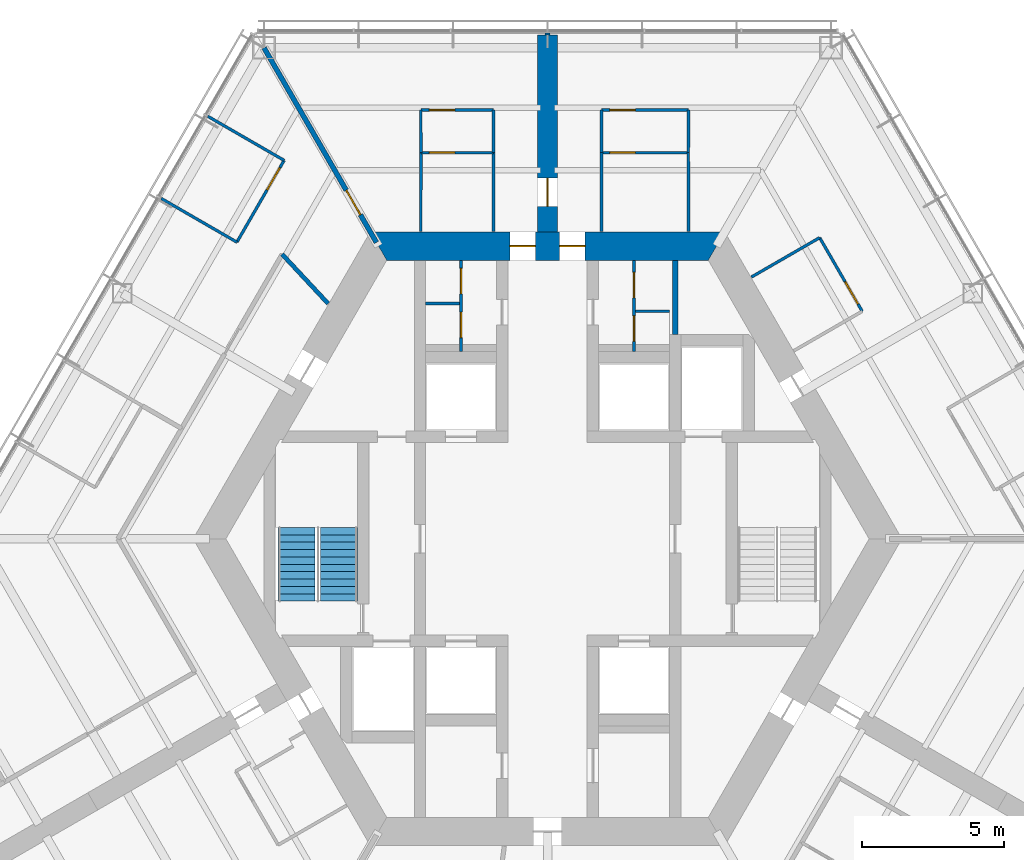
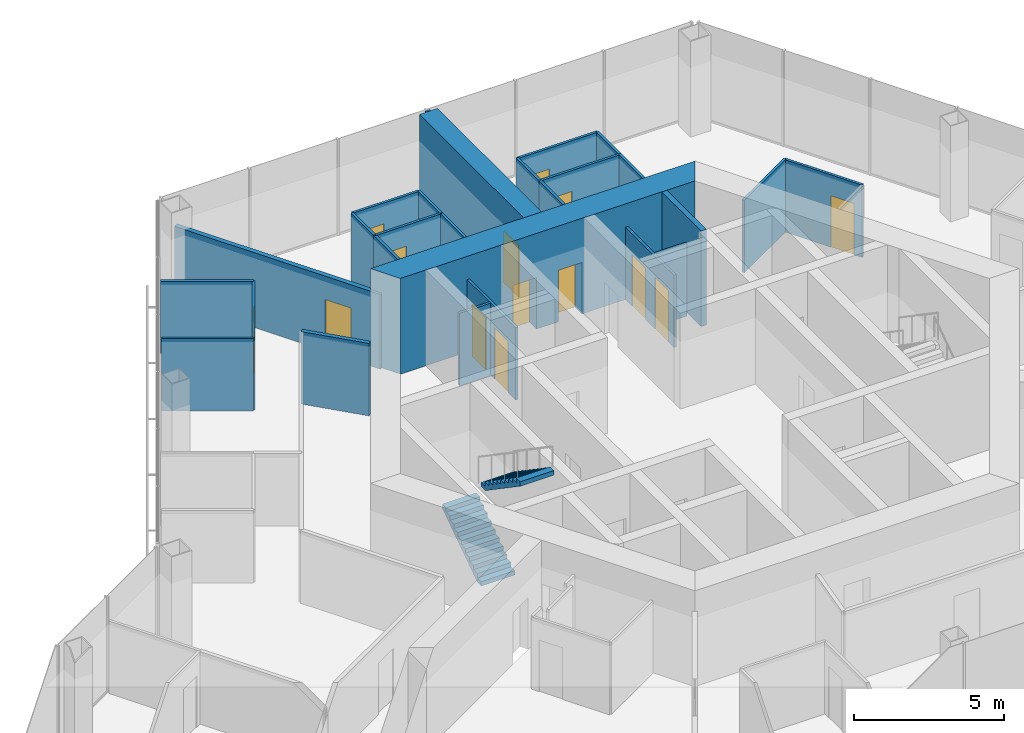
# One storey, part 15 of 18: 27 walls, 14 doors, 2 stair flights, 14 openings, 1 element without a shape of its own.
"""IFC4 building model written with IfcOpenShell, lengths in metres."""

from ifc_helpers import new_model, si_unit, direction, frame, frame_2d, origin, place, context, subcontext, project, spatial, polyline, rectangle, outline, extrude, material, layer, layer_set, type_object, element, fill, aggregate, save


model = new_model("IFC4")

# Units and contexts
model_context = context("Model", 3, precision=1e-05, world=origin(), true_north=direction((0.0, 1.0)))
body_context = subcontext(model_context, "Body", "Model", "MODEL_VIEW")
ifc_project = project(units=[si_unit("LENGTHUNIT", "METRE"), si_unit("AREAUNIT", "SQUARE_METRE"), si_unit("VOLUMEUNIT", "CUBIC_METRE"), si_unit("PLANEANGLEUNIT", "RADIAN"), si_unit("MASSUNIT", "GRAM", prefix="KILO")], contexts=[model_context])

# Site, building, storey
site_placement = place(None, origin())
site = spatial("IfcSite", under=ifc_project, at=site_placement, CompositionType="ELEMENT")
building_placement = place(site_placement, origin())
building = spatial("IfcBuilding", under=site, at=building_placement, Name="Kasaneha Research Tower", CompositionType="ELEMENT")
storey_placement = place(building_placement, frame((0.0, 0.0, 140.89990234375)))
storey = spatial("IfcBuildingStorey", under=building, at=storey_placement, Name="L35", CompositionType="ELEMENT", Elevation=140.89990234375)

# Wall, openings, doors
ifc_material_1 = material(Name="Concrete Fc70", Category="concrete")
ifc_layer_1 = layer(ifc_material_1, 1.0)
ifc_layer_set_1 = layer_set([ifc_layer_1], Name="Core wall 1000 Fc70")
wall_type_1 = type_object("IfcWallType", Name="Core wall 1000 Fc70", PredefinedType="SHEAR", material=ifc_layer_set_1)
wall_1_placement = place(storey_placement, frame((5.961181640625, 10.324951171875, 0.0), z_axis=(0.0, 0.0, 1.0), x_axis=(-1.0, 0.0, 0.0)))
wall_1 = element("IfcWall", 1, at=wall_1_placement, inside=storey, type_object=wall_type_1, Name="Core wall 090 L35", PredefinedType="SHEAR", context=body_context, shape_type="SweptSolid", body=[
    extrude(outline(polyline([(-0.28857421875, -0.5), (4.63623046875, -0.5), (5.5361328125, -0.5), (6.38623046875, -0.5), (7.2861328125, -0.5), (12.2109375, -0.5), (11.6337890625, 0.5), (7.2861328125, 0.5), (6.38623046875, 0.5), (5.5361328125, 0.5), (4.63623046875, 0.5), (0.28857421875, 0.5), (-0.28857421875, -0.5)])), origin(), (0.0, 0.0, 1.0), 3.900146484375),
])
opening_1_placement = place(wall_1_placement, frame((6.38623046875, 0.0, 0.0)))
opening_1 = element("IfcOpeningElement", 2, at=opening_1_placement, cuts=wall_1, Name="Opening L35-D01", PredefinedType="OPENING", context=body_context, shape_type="SweptSolid", body=[
    extrude(rectangle(XDim=0.89990234375, YDim=2.10009765625, at=frame_2d((0.449951171875, 1.050048828125))), frame((0.0, 0.510009765625, 0.0), z_axis=(0.0, -1.0, 0.0), x_axis=(1.0, 0.0, 0.0)), (0.0, 0.0, 1.0), 1.02001953125),
])
opening_2_placement = place(wall_1_placement, frame((4.63623046875, 0.0, 0.0)))
opening_2 = element("IfcOpeningElement", 3, at=opening_2_placement, cuts=wall_1, Name="Opening L35-D02", PredefinedType="OPENING", context=body_context, shape_type="SweptSolid", body=[
    extrude(rectangle(XDim=0.89990234375, YDim=2.10009765625, at=frame_2d((0.449951171875, 1.050048828125))), frame((0.0, 0.510009765625, 0.0), z_axis=(0.0, -1.0, 0.0), x_axis=(1.0, 0.0, 0.0)), (0.0, 0.0, 1.0), 1.02001953125),
])
ifc_material_2 = material(Name="Steel", Category="steel")
door_type_1 = type_object("IfcDoorType", Name="Toilet door FD20 900x2100", OperationType="NOTDEFINED", PredefinedType="DOOR", material=ifc_material_2)
door_1_placement = place(opening_1_placement, origin())
door_1 = element("IfcDoor", 4, at=door_1_placement, inside=storey, type_object=door_type_1, Name="Core door north 1 L35-D01", OperationType="SINGLE_SWING_RIGHT", OverallHeight=2.10009765625, OverallWidth=0.89990234375, PredefinedType="DOOR", context=body_context, shape_type="SweptSolid", body=[
    extrude(rectangle(XDim=0.89990234375, YDim=2.10009765625, at=frame_2d((0.449951171875, 1.050048828125))), frame((0.0, 0.02490234375, 0.0), z_axis=(0.0, -1.0, 0.0), x_axis=(1.0, 0.0, 0.0)), (0.0, 0.0, 1.0), 0.050048828125),
])
fill(opening_1, door_1)
door_2_placement = place(opening_2_placement, origin())
door_2 = element("IfcDoor", 5, at=door_2_placement, inside=storey, type_object=door_type_1, Name="Core door north 2 L35-D02", OperationType="SINGLE_SWING_LEFT", OverallHeight=2.10009765625, OverallWidth=0.89990234375, PredefinedType="DOOR", context=body_context, shape_type="SweptSolid", body=[
    extrude(rectangle(XDim=0.89990234375, YDim=2.10009765625, at=frame_2d((0.449951171875, 1.050048828125))), frame((0.0, 0.02490234375, 0.0), z_axis=(0.0, -1.0, 0.0), x_axis=(1.0, 0.0, 0.0)), (0.0, 0.0, 1.0), 0.050048828125),
])
fill(opening_2, door_2)

ifc_material_3 = material(Name="Gypsum board on steel studs, one layer each side", Category="steel")
ifc_layer_2 = layer(ifc_material_3, 0.10009765625)
ifc_layer_set_2 = layer_set([ifc_layer_2], Name="Office partition 100")
wall_type_2 = type_object("IfcWallType", Name="Office partition 100", PredefinedType="PARTITIONING", material=ifc_layer_set_2)
wall_2_placement = place(storey_placement, frame((-3.050048828125, 6.60009765625, 0.0), z_axis=(0.0, 0.0, 1.0), x_axis=(0.0, 1.0, 0.0)))
wall_2 = element("IfcWall", 6, at=wall_2_placement, inside=storey, type_object=wall_type_2, Name="Office partition TBM1 L35", PredefinedType="PARTITIONING", context=body_context, shape_type="SweptSolid", body=[
    extrude(rectangle(XDim=3.224853515625, YDim=0.10009765625, at=frame_2d((1.6123046875, 0.0))), origin(), (0.0, 0.0, 1.0), 2.9501953125),
])
opening_3_placement = place(wall_2_placement, frame((0.5, 0.0, 0.0)))
opening_3 = element("IfcOpeningElement", 7, at=opening_3_placement, cuts=wall_2, Name="Opening L35-D20", PredefinedType="OPENING", context=body_context, shape_type="SweptSolid", body=[
    extrude(rectangle(XDim=0.89990234375, YDim=2.10009765625, at=frame_2d((0.449951171875, 1.050048828125))), frame((0.0, 0.06005859375, 0.0), z_axis=(0.0, -1.0, 0.0), x_axis=(1.0, 0.0, 0.0)), (0.0, 0.0, 1.0), 0.1201171875),
])
opening_4_placement = place(wall_2_placement, frame((2.03759765625, 0.0, 0.0)))
opening_4 = element("IfcOpeningElement", 8, at=opening_4_placement, cuts=wall_2, Name="Opening L35-D21", PredefinedType="OPENING", context=body_context, shape_type="SweptSolid", body=[
    extrude(rectangle(XDim=0.89990234375, YDim=2.10009765625, at=frame_2d((0.449951171875, 1.050048828125))), frame((0.0, 0.06005859375, 0.0), z_axis=(0.0, -1.0, 0.0), x_axis=(1.0, 0.0, 0.0)), (0.0, 0.0, 1.0), 0.1201171875),
])
ifc_material_4 = material(Name="Steel", Category="steel")
door_type_2 = type_object("IfcDoorType", Name="Toilet lobby door FD30 900x2100", OperationType="NOTDEFINED", PredefinedType="DOOR", material=ifc_material_4)
door_3_placement = place(opening_3_placement, origin())
door_3 = element("IfcDoor", 9, at=door_3_placement, inside=storey, type_object=door_type_2, Name="Men's WC door L35-D20", OperationType="SINGLE_SWING_RIGHT", OverallHeight=2.10009765625, OverallWidth=0.89990234375, PredefinedType="DOOR", context=body_context, shape_type="SweptSolid", body=[
    extrude(rectangle(XDim=0.89990234375, YDim=2.10009765625, at=frame_2d((0.449951171875, 1.050048828125))), frame((0.0, 0.02490234375, 0.0), z_axis=(0.0, -1.0, 0.0), x_axis=(1.0, 0.0, 0.0)), (0.0, 0.0, 1.0), 0.050048828125),
])
fill(opening_3, door_3)
door_4_placement = place(opening_4_placement, origin())
door_4 = element("IfcDoor", 10, at=door_4_placement, inside=storey, type_object=door_type_2, Name="Cleaner's store door L35-D21", OperationType="SINGLE_SWING_RIGHT", OverallHeight=2.10009765625, OverallWidth=0.89990234375, PredefinedType="DOOR", context=body_context, shape_type="SweptSolid", body=[
    extrude(rectangle(XDim=0.89990234375, YDim=2.10009765625, at=frame_2d((0.449951171875, 1.050048828125))), frame((0.0, 0.02490234375, 0.0), z_axis=(0.0, -1.0, 0.0), x_axis=(1.0, 0.0, 0.0)), (0.0, 0.0, 1.0), 0.050048828125),
])
fill(opening_4, door_4)

# Wall
wall_3_placement = place(storey_placement, frame((-3.10009765625, 8.300048828125, 0.0), z_axis=(0.0, 0.0, 1.0), x_axis=(-1.0, 0.0, 0.0)))
element("IfcWall", 11, at=wall_3_placement, inside=storey, type_object=wall_type_2, Name="Office partition TBM2 L35", PredefinedType="PARTITIONING", context=body_context, shape_type="SweptSolid", body=[
    extrude(rectangle(XDim=1.199951171875, YDim=0.10009765625, at=frame_2d((0.60009765625, 0.0))), origin(), (0.0, 0.0, 1.0), 2.9501953125),
])

# Wall, openings, doors
wall_4_placement = place(storey_placement, frame((3.050048828125, 6.60009765625, 0.0), z_axis=(0.0, 0.0, 1.0), x_axis=(0.0, 1.0, 0.0)))
wall_4 = element("IfcWall", 12, at=wall_4_placement, inside=storey, type_object=wall_type_2, Name="Office partition TBF1 L35", PredefinedType="PARTITIONING", context=body_context, shape_type="SweptSolid", body=[
    extrude(rectangle(XDim=3.224853515625, YDim=0.10009765625, at=frame_2d((1.6123046875, 0.0))), origin(), (0.0, 0.0, 1.0), 2.9501953125),
])
opening_5_placement = place(wall_4_placement, frame((0.362548828125, 0.0, 0.0)))
opening_5 = element("IfcOpeningElement", 13, at=opening_5_placement, cuts=wall_4, Name="Opening L35-D22", PredefinedType="OPENING", context=body_context, shape_type="SweptSolid", body=[
    extrude(rectangle(XDim=0.89990234375, YDim=2.10009765625, at=frame_2d((0.449951171875, 1.050048828125))), frame((0.0, 0.06005859375, 0.0), z_axis=(0.0, -1.0, 0.0), x_axis=(1.0, 0.0, 0.0)), (0.0, 0.0, 1.0), 0.1201171875),
])
opening_6_placement = place(wall_4_placement, frame((1.89990234375, 0.0, 0.0)))
opening_6 = element("IfcOpeningElement", 14, at=opening_6_placement, cuts=wall_4, Name="Opening L35-D23", PredefinedType="OPENING", context=body_context, shape_type="SweptSolid", body=[
    extrude(rectangle(XDim=0.89990234375, YDim=2.10009765625, at=frame_2d((0.449951171875, 1.050048828125))), frame((0.0, 0.06005859375, 0.0), z_axis=(0.0, -1.0, 0.0), x_axis=(1.0, 0.0, 0.0)), (0.0, 0.0, 1.0), 0.1201171875),
])
door_5_placement = place(opening_5_placement, origin())
door_5 = element("IfcDoor", 15, at=door_5_placement, inside=storey, type_object=door_type_2, Name="Women's WC door L35-D22", OperationType="SINGLE_SWING_RIGHT", OverallHeight=2.10009765625, OverallWidth=0.89990234375, PredefinedType="DOOR", context=body_context, shape_type="SweptSolid", body=[
    extrude(rectangle(XDim=0.89990234375, YDim=2.10009765625, at=frame_2d((0.449951171875, 1.050048828125))), frame((0.0, 0.02490234375, 0.0), z_axis=(0.0, -1.0, 0.0), x_axis=(1.0, 0.0, 0.0)), (0.0, 0.0, 1.0), 0.050048828125),
])
fill(opening_5, door_5)
door_6_placement = place(opening_6_placement, origin())
door_6 = element("IfcDoor", 16, at=door_6_placement, inside=storey, type_object=door_type_2, Name="Shower room door L35-D23", OperationType="SINGLE_SWING_RIGHT", OverallHeight=2.10009765625, OverallWidth=0.89990234375, PredefinedType="DOOR", context=body_context, shape_type="SweptSolid", body=[
    extrude(rectangle(XDim=0.89990234375, YDim=2.10009765625, at=frame_2d((0.449951171875, 1.050048828125))), frame((0.0, 0.02490234375, 0.0), z_axis=(0.0, -1.0, 0.0), x_axis=(1.0, 0.0, 0.0)), (0.0, 0.0, 1.0), 0.050048828125),
])
fill(opening_6, door_6)

# Wall
wall_5_placement = place(storey_placement, frame((3.10009765625, 8.02490234375, 0.0), z_axis=(0.0, 0.0, 1.0), x_axis=(1.0, 0.0, 0.0)))
element("IfcWall", 17, at=wall_5_placement, inside=storey, type_object=wall_type_2, Name="Office partition TBF2 L35", PredefinedType="PARTITIONING", context=body_context, shape_type="SweptSolid", body=[
    extrude(rectangle(XDim=1.199951171875, YDim=0.10009765625, at=frame_2d((0.60009765625, 0.0))), origin(), (0.0, 0.0, 1.0), 2.9501953125),
])

# Wall, opening, door
wall_6_placement = place(storey_placement, frame((1.89990234375, 13.6201171875, 0.0), z_axis=(0.0, 0.0, 1.0), x_axis=(1.0, 0.0, 0.0)))
wall_6 = element("IfcWall", 18, at=wall_6_placement, inside=storey, type_object=wall_type_2, Name="Office partition FAE01 L35", PredefinedType="PARTITIONING", context=body_context, shape_type="SweptSolid", body=[
    extrude(rectangle(XDim=3.071044921875, YDim=0.10009765625, at=frame_2d((1.53564453125, 0.0))), origin(), (0.0, 0.0, 1.0), 2.9501953125),
])
opening_7_placement = place(wall_6_placement, frame((0.300048828125, 0.0, 0.0)))
opening_7 = element("IfcOpeningElement", 19, at=opening_7_placement, cuts=wall_6, Name="Opening L35-D27", PredefinedType="OPENING", context=body_context, shape_type="SweptSolid", body=[
    extrude(rectangle(XDim=0.89990234375, YDim=2.10009765625, at=frame_2d((0.449951171875, 1.050048828125))), frame((0.0, 0.06005859375, 0.0), z_axis=(0.0, -1.0, 0.0), x_axis=(1.0, 0.0, 0.0)), (0.0, 0.0, 1.0), 0.1201171875),
])
door_7_placement = place(opening_7_placement, origin())
door_7 = element("IfcDoor", 20, at=door_7_placement, inside=storey, type_object=door_type_2, Name="Women's WC door L35-D27", OperationType="SINGLE_SWING_LEFT", OverallHeight=2.10009765625, OverallWidth=0.89990234375, PredefinedType="DOOR", context=body_context, shape_type="SweptSolid", body=[
    extrude(rectangle(XDim=0.89990234375, YDim=2.10009765625, at=frame_2d((0.449951171875, 1.050048828125))), frame((0.0, 0.02490234375, 0.0), z_axis=(0.0, -1.0, 0.0), x_axis=(1.0, 0.0, 0.0)), (0.0, 0.0, 1.0), 0.050048828125),
])
fill(opening_7, door_7)

# Walls
for number, where, z_axis, x_axis, name in (
    (21, (1.89990234375, 10.844970703125, 0.0), (0.0, 0.0, 1.0), (0.001668567099, 0.999998607941, 0.0), "Office partition FAE02 L35"),
    (22, (4.96630859375, 13.625, 0.0), (0.0, 0.0, 1.0), (0.001668567099, -0.999998607941, 0.0), "Office partition FAE03 L35"),
):
    element("IfcWall", number, at=place(storey_placement, frame(where, z_axis=z_axis, x_axis=x_axis)), inside=storey, type_object=wall_type_2, Name=name, PredefinedType="PARTITIONING", context=body_context, shape_type="SweptSolid", body=[
        extrude(rectangle(XDim=2.780029296875, YDim=0.10009765625, at=frame_2d((1.39013671875, 0.0))), origin(), (0.0, 0.0, 1.0), 2.9501953125),
    ])

# Wall, opening, door
wall_7_placement = place(storey_placement, frame((1.89990234375, 15.125, 0.0), z_axis=(0.0, 0.0, 1.0), x_axis=(1.0, 0.0, 0.0)))
wall_7 = element("IfcWall", 23, at=wall_7_placement, inside=storey, type_object=wall_type_2, Name="Office partition FAE04 L35", PredefinedType="PARTITIONING", context=body_context, shape_type="SweptSolid", body=[
    extrude(rectangle(XDim=3.071044921875, YDim=0.10009765625, at=frame_2d((1.53564453125, 0.0))), origin(), (0.0, 0.0, 1.0), 2.9501953125),
])
opening_8_placement = place(wall_7_placement, frame((0.300048828125, 0.0, 0.0)))
opening_8 = element("IfcOpeningElement", 24, at=opening_8_placement, cuts=wall_7, Name="Opening L35-D28", PredefinedType="OPENING", context=body_context, shape_type="SweptSolid", body=[
    extrude(rectangle(XDim=0.89990234375, YDim=2.10009765625, at=frame_2d((0.449951171875, 1.050048828125))), frame((0.0, 0.06005859375, 0.0), z_axis=(0.0, -1.0, 0.0), x_axis=(1.0, 0.0, 0.0)), (0.0, 0.0, 1.0), 0.1201171875),
])
door_8_placement = place(opening_8_placement, origin())
door_8 = element("IfcDoor", 25, at=door_8_placement, inside=storey, type_object=door_type_2, Name="Toilet lobby door L35-D28", OperationType="SINGLE_SWING_LEFT", OverallHeight=2.10009765625, OverallWidth=0.89990234375, PredefinedType="DOOR", context=body_context, shape_type="SweptSolid", body=[
    extrude(rectangle(XDim=0.89990234375, YDim=2.10009765625, at=frame_2d((0.449951171875, 1.050048828125))), frame((0.0, 0.02490234375, 0.0), z_axis=(0.0, -1.0, 0.0), x_axis=(1.0, 0.0, 0.0)), (0.0, 0.0, 1.0), 0.050048828125),
])
fill(opening_8, door_8)

# Walls
for number, where, z_axis, x_axis, name in (
    (26, (1.904541015625, 13.625, 0.0), (0.0, 0.0, 1.0), (-0.00309243313, 0.999995218417, 0.0), "Office partition FAE05 L35"),
    (27, (4.970947265625, 15.125, 0.0), (0.0, 0.0, 1.0), (-0.00309243313, -0.999995218417, 0.0), "Office partition FAE06 L35"),
):
    element("IfcWall", number, at=place(storey_placement, frame(where, z_axis=z_axis, x_axis=x_axis)), inside=storey, type_object=wall_type_2, Name=name, PredefinedType="PARTITIONING", context=body_context, shape_type="SweptSolid", body=[
        extrude(rectangle(XDim=1.5, YDim=0.10009765625, at=frame_2d((0.75, 0.0))), origin(), (0.0, 0.0, 1.0), 2.9501953125),
    ])
wall_8_placement = place(storey_placement, frame((7.19189453125, 9.23291015625, 0.0), z_axis=(0.0, 0.0, 1.0), x_axis=(0.866018876994, 0.500011304563, 0.0)))
element("IfcWall", 28, at=wall_8_placement, inside=storey, type_object=wall_type_2, Name="Office partition FAE07 L35", PredefinedType="PARTITIONING", context=body_context, shape_type="SweptSolid", body=[
    extrude(rectangle(XDim=2.7802734375, YDim=0.10009765625, at=frame_2d((1.39013671875, 0.0))), origin(), (0.0, 0.0, 1.0), 2.9501953125),
])

# Wall, opening, door
wall_9_placement = place(storey_placement, frame((9.599609375, 10.623046875, 0.0), z_axis=(0.0, 0.0, 1.0), x_axis=(0.499990139034, -0.866031096941, 0.0)))
wall_9 = element("IfcWall", 29, at=wall_9_placement, inside=storey, type_object=wall_type_2, Name="Office partition FAE08 L35", PredefinedType="PARTITIONING", context=body_context, shape_type="SweptSolid", body=[
    extrude(rectangle(XDim=3.0, YDim=0.10009765625, at=frame_2d((1.5, 0.0))), origin(), (0.0, 0.0, 1.0), 2.9501953125),
])
opening_9_placement = place(wall_9_placement, frame((1.800048828125, 0.0, 0.0)))
opening_9 = element("IfcOpeningElement", 30, at=opening_9_placement, cuts=wall_9, Name="Opening L35-D29", PredefinedType="OPENING", context=body_context, shape_type="SweptSolid", body=[
    extrude(rectangle(XDim=0.89990234375, YDim=2.10009765625, at=frame_2d((0.449951171875, 1.050048828125))), frame((0.0, 0.06005859375, 0.0), z_axis=(0.0, -1.0, 0.0), x_axis=(1.0, 0.0, 0.0)), (0.0, 0.0, 1.0), 0.1201171875),
])
ifc_material_5 = material(Name="Timber veneer", Category="wood")
door_type_3 = type_object("IfcDoorType", Name="Office door 900x2100", OperationType="SINGLE_SWING_LEFT", PredefinedType="DOOR", material=ifc_material_5)
door_9_placement = place(opening_9_placement, origin())
door_9 = element("IfcDoor", 31, at=door_9_placement, inside=storey, type_object=door_type_3, Name="Pantry door L35-D29", OperationType="SINGLE_SWING_RIGHT", OverallHeight=2.10009765625, OverallWidth=0.89990234375, PredefinedType="DOOR", context=body_context, shape_type="SweptSolid", body=[
    extrude(rectangle(XDim=0.89990234375, YDim=2.10009765625, at=frame_2d((0.449951171875, 1.050048828125))), frame((0.0, 0.02490234375, 0.0), z_axis=(0.0, -1.0, 0.0), x_axis=(1.0, 0.0, 0.0)), (0.0, 0.0, 1.0), 0.050048828125),
])
fill(opening_9, door_9)

wall_10_placement = place(storey_placement, frame((-4.470947265625, 13.6201171875, 0.0), z_axis=(0.0, 0.0, 1.0), x_axis=(1.0, 0.0, 0.0)))
wall_10 = element("IfcWall", 32, at=wall_10_placement, inside=storey, type_object=wall_type_2, Name="Office partition FAW01 L35", PredefinedType="PARTITIONING", context=body_context, shape_type="SweptSolid", body=[
    extrude(rectangle(XDim=2.571044921875, YDim=0.10009765625, at=frame_2d((1.28564453125, 0.0))), origin(), (0.0, 0.0, 1.0), 2.9501953125),
])
opening_10_placement = place(wall_10_placement, frame((0.300048828125, 0.0, 0.0)))
opening_10 = element("IfcOpeningElement", 33, at=opening_10_placement, cuts=wall_10, Name="Opening L35-D32", PredefinedType="OPENING", context=body_context, shape_type="SweptSolid", body=[
    extrude(rectangle(XDim=0.89990234375, YDim=2.10009765625, at=frame_2d((0.449951171875, 1.050048828125))), frame((0.0, 0.06005859375, 0.0), z_axis=(0.0, -1.0, 0.0), x_axis=(1.0, 0.0, 0.0)), (0.0, 0.0, 1.0), 0.1201171875),
])
door_10_placement = place(opening_10_placement, origin())
door_10 = element("IfcDoor", 34, at=door_10_placement, inside=storey, type_object=door_type_2, Name="Men's WC door L35-D32", OperationType="SINGLE_SWING_LEFT", OverallHeight=2.10009765625, OverallWidth=0.89990234375, PredefinedType="DOOR", context=body_context, shape_type="SweptSolid", body=[
    extrude(rectangle(XDim=0.89990234375, YDim=2.10009765625, at=frame_2d((0.449951171875, 1.050048828125))), frame((0.0, 0.02490234375, 0.0), z_axis=(0.0, -1.0, 0.0), x_axis=(1.0, 0.0, 0.0)), (0.0, 0.0, 1.0), 0.050048828125),
])
fill(opening_10, door_10)

# Walls
for number, where, z_axis, x_axis, name in (
    (35, (-4.470947265625, 10.844970703125, 0.0), (0.0, 0.0, 1.0), (0.001668567099, 0.999998607941, 0.0), "Office partition FAW02 L35"),
    (36, (-1.90478515625, 13.625, 0.0), (0.0, 0.0, 1.0), (0.001756386155, -0.999998457553, 0.0), "Office partition FAW03 L35"),
):
    element("IfcWall", number, at=place(storey_placement, frame(where, z_axis=z_axis, x_axis=x_axis)), inside=storey, type_object=wall_type_2, Name=name, PredefinedType="PARTITIONING", context=body_context, shape_type="SweptSolid", body=[
        extrude(rectangle(XDim=2.780029296875, YDim=0.10009765625, at=frame_2d((1.39013671875, 0.0))), origin(), (0.0, 0.0, 1.0), 2.9501953125),
    ])

# Wall, opening, door
wall_11_placement = place(storey_placement, frame((-4.470947265625, 15.125, 0.0), z_axis=(0.0, 0.0, 1.0), x_axis=(1.0, 0.0, 0.0)))
wall_11 = element("IfcWall", 37, at=wall_11_placement, inside=storey, type_object=wall_type_2, Name="Office partition FAW04 L35", PredefinedType="PARTITIONING", context=body_context, shape_type="SweptSolid", body=[
    extrude(rectangle(XDim=2.571044921875, YDim=0.10009765625, at=frame_2d((1.28564453125, 0.0))), origin(), (0.0, 0.0, 1.0), 2.9501953125),
])
opening_11_placement = place(wall_11_placement, frame((0.300048828125, 0.0, 0.0)))
opening_11 = element("IfcOpeningElement", 38, at=opening_11_placement, cuts=wall_11, Name="Opening L35-D33", PredefinedType="OPENING", context=body_context, shape_type="SweptSolid", body=[
    extrude(rectangle(XDim=0.89990234375, YDim=2.10009765625, at=frame_2d((0.449951171875, 1.050048828125))), frame((0.0, 0.06005859375, 0.0), z_axis=(0.0, -1.0, 0.0), x_axis=(1.0, 0.0, 0.0)), (0.0, 0.0, 1.0), 0.1201171875),
])
door_11_placement = place(opening_11_placement, origin())
door_11 = element("IfcDoor", 39, at=door_11_placement, inside=storey, type_object=door_type_2, Name="Toilet lobby door L35-D33", OperationType="SINGLE_SWING_LEFT", OverallHeight=2.10009765625, OverallWidth=0.89990234375, PredefinedType="DOOR", context=body_context, shape_type="SweptSolid", body=[
    extrude(rectangle(XDim=0.89990234375, YDim=2.10009765625, at=frame_2d((0.449951171875, 1.050048828125))), frame((0.0, 0.02490234375, 0.0), z_axis=(0.0, -1.0, 0.0), x_axis=(1.0, 0.0, 0.0)), (0.0, 0.0, 1.0), 0.050048828125),
])
fill(opening_11, door_11)

# Walls
for number, where, z_axis, x_axis, name in (
    (40, (-4.46630859375, 13.625, 0.0), (0.0, 0.0, 1.0), (-0.00309243313, 0.999995218417, 0.0), "Office partition FAW05 L35"),
    (41, (-1.89990234375, 15.125, 0.0), (0.0, 0.0, 1.0), (-0.003255191087, -0.999994701851, 0.0), "Office partition FAW06 L35"),
):
    element("IfcWall", number, at=place(storey_placement, frame(where, z_axis=z_axis, x_axis=x_axis)), inside=storey, type_object=wall_type_2, Name=name, PredefinedType="PARTITIONING", context=body_context, shape_type="SweptSolid", body=[
        extrude(rectangle(XDim=1.5, YDim=0.10009765625, at=frame_2d((0.75, 0.0))), origin(), (0.0, 0.0, 1.0), 2.9501953125),
    ])
wall_12_placement = place(storey_placement, frame((-11.979736328125, 14.901611328125, 0.0), z_axis=(0.0, 0.0, 1.0), x_axis=(0.866042875753, -0.499969736442, 0.0)))
element("IfcWall", 42, at=wall_12_placement, inside=storey, type_object=wall_type_2, Name="Office partition FBN11 L35", PredefinedType="PARTITIONING", context=body_context, shape_type="SweptSolid", body=[
    extrude(rectangle(XDim=3.105224609375, YDim=0.10009765625, at=frame_2d((1.552734375, 0.0))), origin(), (0.0, 0.0, 1.0), 2.9501953125),
])
wall_13_placement = place(storey_placement, frame((-10.9560546875, 10.464599609375, 0.0), z_axis=(0.0, 0.0, 1.0), x_axis=(-0.866044340336, 0.499967199496, 0.0)))
element("IfcWall", 43, at=wall_13_placement, inside=storey, type_object=wall_type_2, Name="Office partition FBN12 L35", PredefinedType="PARTITIONING", context=body_context, shape_type="SweptSolid", body=[
    extrude(rectangle(XDim=3.079833984375, YDim=0.10009765625, at=frame_2d((1.5400390625, 0.0))), origin(), (0.0, 0.0, 1.0), 2.9501953125),
])

# Wall, opening, door
wall_14_placement = place(storey_placement, frame((-9.29052734375, 13.34912109375, 0.0), z_axis=(0.0, 0.0, 1.0), x_axis=(-0.500033344505, -0.86600615147, 0.0)))
wall_14 = element("IfcWall", 44, at=wall_14_placement, inside=storey, type_object=wall_type_2, Name="Office partition FBN13 L35", PredefinedType="PARTITIONING", context=body_context, shape_type="SweptSolid", body=[
    extrude(rectangle(XDim=3.330810546875, YDim=0.10009765625, at=frame_2d((1.66552734375, 0.0))), origin(), (0.0, 0.0, 1.0), 2.9501953125),
])
opening_12_placement = place(wall_14_placement, frame((0.300048828125, 0.0, 0.0)))
opening_12 = element("IfcOpeningElement", 45, at=opening_12_placement, cuts=wall_14, Name="Opening L35-D38", PredefinedType="OPENING", context=body_context, shape_type="SweptSolid", body=[
    extrude(rectangle(XDim=0.89990234375, YDim=2.10009765625, at=frame_2d((0.449951171875, 1.050048828125))), frame((0.0, 0.06005859375, 0.0), z_axis=(0.0, -1.0, 0.0), x_axis=(1.0, 0.0, 0.0)), (0.0, 0.0, 1.0), 0.1201171875),
])
door_12_placement = place(opening_12_placement, origin())
door_12 = element("IfcDoor", 46, at=door_12_placement, inside=storey, type_object=door_type_3, Name="Project room door L35-D38", OperationType="SINGLE_SWING_LEFT", OverallHeight=2.10009765625, OverallWidth=0.89990234375, PredefinedType="DOOR", context=body_context, shape_type="SweptSolid", body=[
    extrude(rectangle(XDim=0.89990234375, YDim=2.10009765625, at=frame_2d((0.449951171875, 1.050048828125))), frame((0.0, 0.02490234375, 0.0), z_axis=(0.0, -1.0, 0.0), x_axis=(1.0, 0.0, 0.0)), (0.0, 0.0, 1.0), 0.050048828125),
])
fill(opening_12, door_12)

# Wall
ifc_material_6 = material(Name="Concrete block", Category="concrete")
ifc_layer_3 = layer(ifc_material_6, 0.199951171875)
ifc_layer_set_3 = layer_set([ifc_layer_3], Name="Riser enclosure wall 200")
wall_type_3 = type_object("IfcWallType", Name="Riser enclosure wall 200", PredefinedType="STANDARD", material=ifc_layer_set_3)
wall_15_placement = place(storey_placement, frame((4.5, 7.199951171875, 0.0), z_axis=(0.0, 0.0, 1.0), x_axis=(0.0, 1.0, 0.0)))
element("IfcWall", 47, at=wall_15_placement, inside=storey, type_object=wall_type_3, Name="Riser enclosure wall L35", PredefinedType="STANDARD", context=body_context, shape_type="SweptSolid", body=[
    extrude(rectangle(XDim=2.625, YDim=0.199951171875, at=frame_2d((1.3125, 0.0))), origin(), (0.0, 0.0, 1.0), 3.900146484375),
])

# Wall, opening, door
ifc_material_7 = material(Name="Concrete Fc70", Category="concrete")
ifc_layer_4 = layer(ifc_material_7, 0.699951171875)
ifc_layer_set_4 = layer_set([ifc_layer_4], Name="Spine wall 700 Fc70")
wall_type_4 = type_object("IfcWallType", Name="Spine wall 700 Fc70", PredefinedType="SHEAR", material=ifc_layer_set_4)
wall_16_placement = place(storey_placement, frame((0.0, 10.824951171875, 0.0), z_axis=(0.0, 0.0, 1.0), x_axis=(0.0, 1.0, 0.0)))
wall_16 = element("IfcWall", 48, at=wall_16_placement, inside=storey, type_object=wall_type_4, Name="Spine wall A L35", PredefinedType="SHEAR", context=body_context, shape_type="SweptSolid", body=[
    extrude(rectangle(XDim=6.945556640625, YDim=0.699951171875, at=frame_2d((3.47265625, 0.0))), origin(), (0.0, 0.0, 1.0), 3.900146484375),
])
opening_13_placement = place(wall_16_placement, frame((0.89990234375, 0.0, 0.0)))
opening_13 = element("IfcOpeningElement", 49, at=opening_13_placement, cuts=wall_16, Name="Opening L35-D17", PredefinedType="OPENING", context=body_context, shape_type="SweptSolid", body=[
    extrude(rectangle(XDim=1.0, YDim=2.10009765625, at=frame_2d((0.5, 1.050048828125))), frame((0.0, 0.35986328125, 0.0), z_axis=(0.0, -1.0, 0.0), x_axis=(1.0, 0.0, 0.0)), (0.0, 0.0, 1.0), 0.719970703125),
])
ifc_material_8 = material(Name="Steel", Category="steel")
door_type_4 = type_object("IfcDoorType", Name="Specified fire door FD60 1000x2100", OperationType="NOTDEFINED", PredefinedType="DOOR", material=ifc_material_8)
door_13_placement = place(opening_13_placement, origin())
door_13 = element("IfcDoor", 50, at=door_13_placement, inside=storey, type_object=door_type_4, Name="Spine doorway A L35-D17", OperationType="SINGLE_SWING_LEFT", OverallHeight=2.10009765625, OverallWidth=1.0, PredefinedType="DOOR", context=body_context, shape_type="SweptSolid", body=[
    extrude(rectangle(XDim=1.0, YDim=2.10009765625, at=frame_2d((0.5, 1.050048828125))), frame((0.0, 0.02490234375, 0.0), z_axis=(0.0, -1.0, 0.0), x_axis=(1.0, 0.0, 0.0)), (0.0, 0.0, 1.0), 0.050048828125),
])
fill(opening_13, door_13)

# Wall
ifc_material_9 = material(Name="Gypsum board on steel studs, two layers each side", Category="steel")
ifc_layer_5 = layer(ifc_material_9, 0.14990234375)
ifc_layer_set_5 = layer_set([ifc_layer_5], Name="Suite partition 150")
wall_type_5 = type_object("IfcWallType", Name="Suite partition 150", PredefinedType="PARTITIONING", material=ifc_layer_set_5)
wall_17_placement = place(storey_placement, frame((-9.360107421875, 10.03759765625, 0.0), z_axis=(0.0, 0.0, 1.0), x_axis=(0.681997114248, -0.731354863358, 0.0)))
element("IfcWall", 51, at=wall_17_placement, inside=storey, type_object=wall_type_5, Name="Suite partition FBN07 L35", PredefinedType="PARTITIONING", context=body_context, shape_type="SweptSolid", body=[
    extrude(outline(polyline([(0.0, -0.074951171875), (2.384033203125, -0.074951171875), (2.384033203125, 0.0), (2.382080078125, 0.074951171875), (0.0, 0.074951171875), (0.0, -0.074951171875)])), origin(), (0.0, 0.0, 1.0), 2.9501953125),
])

# Wall, opening, door
ifc_material_10 = material(Name="Gypsum board on steel studs, two layers each side", Category="steel")
ifc_layer_6 = layer(ifc_material_10, 0.175048828125)
ifc_layer_set_6 = layer_set([ifc_layer_6], Name="Tenancy fire partition 175")
wall_type_6 = type_object("IfcWallType", Name="Tenancy fire partition 175", PredefinedType="PARTITIONING", material=ifc_layer_set_6)
wall_18_placement = place(storey_placement, frame((-6.034912109375, 10.45263671875, 0.0), z_axis=(0.0, 0.0, 1.0), x_axis=(-0.499989830942, 0.866031274813, 0.0)))
wall_18 = element("IfcWall", 52, at=wall_18_placement, inside=storey, type_object=wall_type_6, Name="Tenancy fire partition T120 L35", PredefinedType="PARTITIONING", context=body_context, shape_type="SweptSolid", body=[
    extrude(rectangle(XDim=7.930419921875, YDim=0.175048828125, at=frame_2d((3.96533203125, 0.0))), origin(), (0.0, 0.0, 1.0), 3.050048828125),
])
opening_14_placement = place(wall_18_placement, frame((1.1298828125, 0.0, 0.0)))
opening_14 = element("IfcOpeningElement", 53, at=opening_14_placement, cuts=wall_18, Name="Opening L35-D25", PredefinedType="OPENING", context=body_context, shape_type="SweptSolid", body=[
    extrude(rectangle(XDim=1.0, YDim=2.10009765625, at=frame_2d((0.5, 1.050048828125))), frame((0.0, 0.09765625, 0.0), z_axis=(0.0, -1.0, 0.0), x_axis=(1.0, 0.0, 0.0)), (0.0, 0.0, 1.0), 0.195068359375),
])
ifc_material_11 = material(Name="Steel", Category="steel")
door_type_5 = type_object("IfcDoorType", Name="Suite entrance door FD60 1000x2100", OperationType="NOTDEFINED", PredefinedType="DOOR", material=ifc_material_11)
door_14_placement = place(opening_14_placement, origin())
door_14 = element("IfcDoor", 54, at=door_14_placement, inside=storey, type_object=door_type_5, Name="Connecting door L35-D25", OperationType="SINGLE_SWING_LEFT", OverallHeight=2.10009765625, OverallWidth=1.0, PredefinedType="DOOR", context=body_context, shape_type="SweptSolid", body=[
    extrude(rectangle(XDim=1.0, YDim=2.10009765625, at=frame_2d((0.5, 1.050048828125))), frame((0.0, 0.02490234375, 0.0), z_axis=(0.0, -1.0, 0.0), x_axis=(1.0, 0.0, 0.0)), (0.0, 0.0, 1.0), 0.050048828125),
])
fill(opening_14, door_14)

# Wall
wall_19_placement = place(storey_placement, frame((0.0, 17.7705078125, 0.0), z_axis=(0.0, 0.0, 1.0), x_axis=(0.0, 1.0, 0.0)))
element("IfcWall", 55, at=wall_19_placement, inside=storey, type_object=wall_type_6, Name="Spine wall closer SW3-700 L35", PredefinedType="PARTITIONING", context=body_context, shape_type="SweptSolid", body=[
    extrude(rectangle(XDim=0.080078125, YDim=0.175048828125, at=frame_2d((0.0400390625, 0.0))), origin(), (0.0, 0.0, 1.0), 3.900146484375),
])

# Stair, stair flights
ifc_material_12 = material(Name="Concrete Fc24", Category="concrete")
stair_type = type_object("IfcStairType", Name="Half-turn stair 22 risers", PredefinedType="HALF_TURN_STAIR", material=ifc_material_12)
stair_placement = place(storey_placement, origin())
stair = element("IfcStair", 56, at=stair_placement, inside=storey, type_object=stair_type, Name="Stair 2 L35", PredefinedType="HALF_TURN_STAIR")
ifc_material_13 = material(Name="Concrete Fc24", Category="concrete")
stair_flight_type = type_object("IfcStairFlightType", Name="Stair flight 11 risers 177.3", PredefinedType="STRAIGHT", material=ifc_material_13)
stair_flight_1_placement = place(storey_placement, frame((-8.85009765625, -2.199951171875, 0.0), z_axis=(0.0, 0.0, 1.0), x_axis=(0.0, 1.0, 0.0)))
stair_flight_1 = element("IfcStairFlight", 57, at=stair_flight_1_placement, type_object=stair_flight_type, Name="ST2-22R flight 1", NumberOfRisers=11, NumberOfTreads=10, PredefinedType="STRAIGHT", RiserHeight=0.177272727, TreadLength=0.26, context=body_context, shape_type="SweptSolid", body=[
    extrude(outline(polyline([(0.0, 0.0), (0.0, 0.17724609375), (0.260009765625, 0.17724609375), (0.260009765625, 0.3544921875), (0.52001953125, 0.3544921875), (0.52001953125, 0.53173828125), (0.780029296875, 0.53173828125), (0.780029296875, 0.708984375), (1.0400390625, 0.708984375), (1.0400390625, 0.886474609375), (1.300048828125, 0.886474609375), (1.300048828125, 1.063720703125), (1.56005859375, 1.063720703125), (1.56005859375, 1.240966796875), (1.820068359375, 1.240966796875), (1.820068359375, 1.418212890625), (2.080078125, 1.418212890625), (2.080078125, 1.595458984375), (2.340087890625, 1.595458984375), (2.340087890625, 1.772705078125), (2.60009765625, 1.772705078125), (2.60009765625, 1.949951171875), (2.60009765625, 1.59130859375), (0.26611328125, 0.0), (0.0, 0.0)])), frame((0.0, 0.64990234375, 0.0), z_axis=(0.0, -1.0, 0.0), x_axis=(1.0, 0.0, 0.0)), (0.0, 0.0, 1.0), 1.300048828125),
])
stair_flight_2_placement = place(storey_placement, frame((-7.35009765625, 0.39990234375, 1.9501953125), z_axis=(0.0, 0.0, 1.0), x_axis=(0.0, -1.0, 0.0)))
stair_flight_2 = element("IfcStairFlight", 58, at=stair_flight_2_placement, type_object=stair_flight_type, Name="ST2-22R flight 2", NumberOfRisers=11, NumberOfTreads=10, PredefinedType="STRAIGHT", RiserHeight=0.177272727, TreadLength=0.26, context=body_context, shape_type="SweptSolid", body=[
    extrude(outline(polyline([(0.0, 0.0), (0.0, 0.17724609375), (0.260009765625, 0.17724609375), (0.260009765625, 0.3544921875), (0.52001953125, 0.3544921875), (0.52001953125, 0.53173828125), (0.780029296875, 0.53173828125), (0.780029296875, 0.708984375), (1.0400390625, 0.708984375), (1.0400390625, 0.886474609375), (1.300048828125, 0.886474609375), (1.300048828125, 1.063720703125), (1.56005859375, 1.063720703125), (1.56005859375, 1.240966796875), (1.820068359375, 1.240966796875), (1.820068359375, 1.418212890625), (2.080078125, 1.418212890625), (2.080078125, 1.595458984375), (2.340087890625, 1.595458984375), (2.340087890625, 1.772705078125), (2.60009765625, 1.772705078125), (2.60009765625, 1.949951171875), (2.60009765625, 1.59130859375), (0.26611328125, 0.0), (0.0, 0.0)])), frame((0.0, 0.64990234375, 0.0), z_axis=(0.0, -1.0, 0.0), x_axis=(1.0, 0.0, 0.0)), (0.0, 0.0, 1.0), 1.300048828125),
])
aggregate(stair, [stair_flight_1, stair_flight_2])

save(model, "model.ifc")
